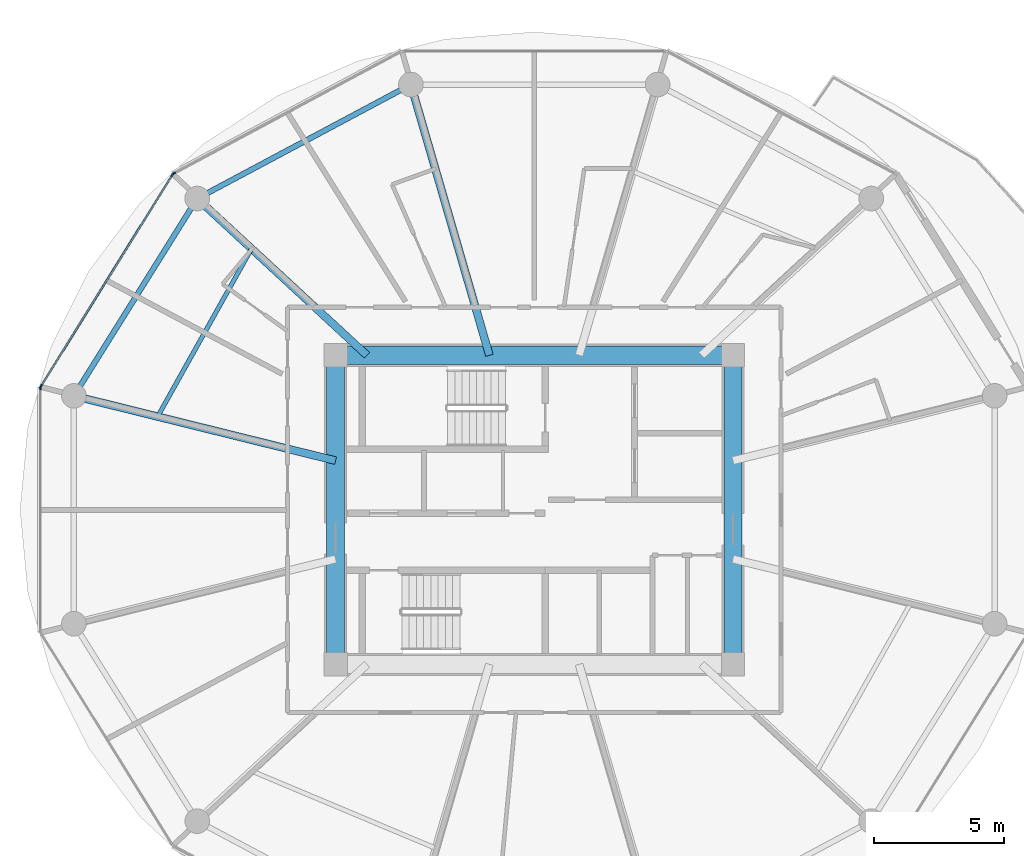
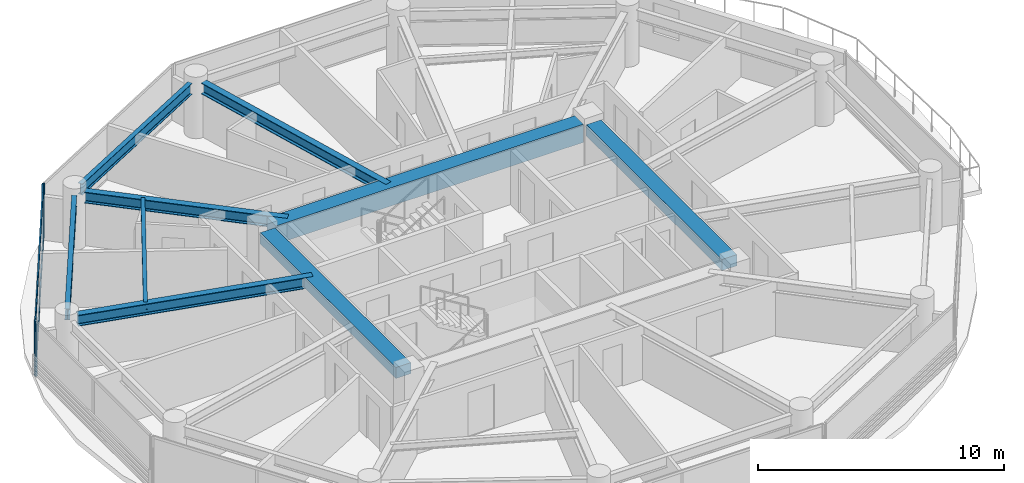
# One storey, part 4 of 26: 9 beams, 6 members, 3 elements without a shape of their own.
"""IFC4 building model written with IfcOpenShell, lengths in metres."""

from ifc_helpers import new_model, si_unit, direction, frame, origin, origin_2d, place, context, subcontext, project, spatial, rectangle, i_section, extrude, source, transform, mapped, material, layer, layer_set, material_profile, profile_set, type_object, type_shapes, element, aggregate, save


model = new_model("IFC4")

# Units and contexts
model_context = context("Model", 3, precision=1e-05, world=origin(), true_north=direction((0.0, 1.0)))
body_context = subcontext(model_context, "Body", "Model", "MODEL_VIEW")
ifc_project = project(units=[si_unit("LENGTHUNIT", "METRE"), si_unit("AREAUNIT", "SQUARE_METRE"), si_unit("VOLUMEUNIT", "CUBIC_METRE"), si_unit("PLANEANGLEUNIT", "RADIAN"), si_unit("MASSUNIT", "GRAM", prefix="KILO")], contexts=[model_context])

# Site, building, storey
site_placement = place(None, origin())
site = spatial("IfcSite", under=ifc_project, at=site_placement, CompositionType="ELEMENT")
building_placement = place(site_placement, origin())
building = spatial("IfcBuilding", under=site, at=building_placement, Name="Norrkilde Senior Care Towers", CompositionType="ELEMENT")
storey_placement = place(building_placement, frame((0.0, 0.0, 70.39990234375)))
storey = spatial("IfcBuildingStorey", under=building, at=storey_placement, Name="L21", CompositionType="ELEMENT", Elevation=70.39990234375)

# Beams
ifc_material_1 = material(Name="Concrete C60/75", Category="concrete")
ifc_material_profile_1 = material_profile(ifc_material_1, rectangle(XDim=0.699951171875, YDim=0.89990234375, at=origin_2d()), Name="RC BM 700x900")
ifc_profile_set_1 = profile_set([ifc_material_profile_1], Name="Concrete C60/75")
beam_type_1 = type_object("IfcBeamType", Name="Core Coupling Girder 700x900", PredefinedType="USERDEFINED", material=ifc_profile_set_1)
shared_shape_1 = source(origin(), body_context, "Body", "SweptSolid", [
    extrude(rectangle(XDim=0.699951171875, YDim=0.89990234375, at=origin_2d()), origin(), (0.0, 0.0, 1.0), 14.43994140625),
])
type_shapes(beam_type_1, [shared_shape_1])
beam_1_placement = place(storey_placement, frame((-35.219970703125, 5.949951171875, 2.280029296875), z_axis=(1.0, 0.0, 0.0), x_axis=(0.0, 1.0, 0.0)))
element("IfcBeam", 1, at=beam_1_placement, inside=storey, type_object=beam_type_1, Name="L21 Core W N Coupling Girder", ObjectType="GIRDER", PredefinedType="USERDEFINED", context=body_context, shape_type="MappedRepresentation", body=[
    mapped(shared_shape_1, transform((0.0, 0.0, 0.0), x_axis=(1.0, 0.0, 0.0), y_axis=(0.0, 1.0, 0.0), z_axis=(0.0, 0.0, 1.0), scale=1.0)),
])
ifc_material_profile_2 = material_profile(ifc_material_1, rectangle(XDim=0.699951171875, YDim=0.550048828125, at=origin_2d()), Name="RC BM 700x550")
ifc_profile_set_2 = profile_set([ifc_material_profile_2], Name="Concrete C60/75")
beam_type_2 = type_object("IfcBeamType", Name="Core Portal Coupling Beam 700x550", PredefinedType="USERDEFINED", material=ifc_profile_set_2)
shared_shape_2 = source(origin(), body_context, "Body", "SweptSolid", [
    extrude(rectangle(XDim=0.699951171875, YDim=0.550048828125, at=origin_2d()), origin(), (0.0, 0.0, 1.0), 11.0400390625),
])
type_shapes(beam_type_2, [shared_shape_2])
for number, where, z_axis, x_axis, name in (
    (2, (-35.64990234375, -5.52001953125, 2.455078125), (0.0, 1.0, 0.0), (-1.0, 0.0, 0.0), "L21 Core W W Coupling Girder"),
    (3, (-20.35009765625, -5.52001953125, 2.455078125), (0.0, 1.0, 0.0), (-1.0, 0.0, 0.0), "L21 Core W E Coupling Girder"),
):
    element("IfcBeam", number, at=place(storey_placement, frame(where, z_axis=z_axis, x_axis=x_axis)), inside=storey, type_object=beam_type_2, Name=name, ObjectType="GIRDER", PredefinedType="USERDEFINED", context=body_context, shape_type="MappedRepresentation", body=[
        mapped(shared_shape_2, transform((0.0, 0.0, 0.0), x_axis=(1.0, 0.0, 0.0), y_axis=(0.0, 1.0, 0.0), z_axis=(0.0, 0.0, 1.0), scale=1.0)),
    ])
ifc_material_2 = material(Name="Steel S355", Category="steel")
ifc_material_profile_3 = material_profile(ifc_material_2, i_section(OverallWidth=0.2099609375, OverallDepth=0.550048828125, WebThickness=0.010986328125, FlangeThickness=0.01708984375, FilletRadius=0.02392578125, at=origin_2d()), Name="IPE 550")
ifc_profile_set_3 = profile_set([ifc_material_profile_3], Name="Steel S355")
beam_type_3 = type_object("IfcBeamType", Name="Perimeter Ring Spandrel Z1 IPE550", PredefinedType="SPANDREL", material=ifc_profile_set_3)
shared_shape_3 = source(origin(), body_context, "Body", "SweptSolid", [
    extrude(i_section(OverallWidth=0.2099609375, OverallDepth=0.550048828125, WebThickness=0.010986328125, FlangeThickness=0.01708984375, FilletRadius=0.02392578125, at=origin_2d()), origin(), (0.0, 0.0, 1.0), 8.090576171875),
])
beam_2_placement = place(storey_placement, frame((-41.2060546875, 11.61669921875, 2.455078125), z_axis=(-0.530004364821, -0.84799491347, 0.0), x_axis=(0.84799491347, -0.530004364821, 0.0)))
element("IfcBeam", 4, at=beam_2_placement, inside=storey, type_object=beam_type_3, Name="L21 Drum W Perimeter Spandrel 05", PredefinedType="SPANDREL", context=body_context, shape_type="MappedRepresentation", body=[
    mapped(shared_shape_3, transform((0.0, 0.0, 0.0), x_axis=(1.0, 0.0, 0.0), y_axis=(0.0, 1.0, 0.0), z_axis=(0.0, 0.0, 1.0), scale=1.0)),
])
ifc_material_profile_4 = material_profile(ifc_material_2, i_section(OverallWidth=0.300048828125, OverallDepth=0.550048828125, WebThickness=0.014892578125, FlangeThickness=0.029052734375, FilletRadius=0.027099609375, at=origin_2d()), Name="HEB 550")
ifc_profile_set_4 = profile_set([ifc_material_profile_4], Name="Steel S355")
beam_type_4 = type_object("IfcBeamType", Name="Radial Floor Beam Z1 HEB550", PredefinedType="BEAM", material=ifc_profile_set_4)
shared_shape_4 = source(origin(), body_context, "Body", "SweptSolid", [
    extrude(i_section(OverallWidth=0.300048828125, OverallDepth=0.550048828125, WebThickness=0.014892578125, FlangeThickness=0.029052734375, FilletRadius=0.027099609375, at=origin_2d()), origin(), (0.0, 0.0, 1.0), 9.94384765625),
])
beam_3_placement = place(storey_placement, frame((-35.64990234375, 1.893310546875, 2.455078125), z_axis=(-0.970707425182, 0.240264634718, 0.0), x_axis=(-0.240264634718, -0.970707425182, 0.0)))
element("IfcBeam", 5, at=beam_3_placement, inside=storey, type_object=beam_type_4, Name="L21 Drum W Radial Floor Beam 06", PredefinedType="BEAM", context=body_context, shape_type="MappedRepresentation", body=[
    mapped(shared_shape_4, transform((0.0, 0.0, 0.0), x_axis=(1.0, 0.0, 0.0), y_axis=(0.0, 1.0, 0.0), z_axis=(0.0, 0.0, 1.0), scale=1.0)),
])
shared_shape_5 = source(origin(), body_context, "Body", "SweptSolid", [
    extrude(i_section(OverallWidth=0.2099609375, OverallDepth=0.550048828125, WebThickness=0.010986328125, FlangeThickness=0.01708984375, FilletRadius=0.02392578125, at=origin_2d()), origin(), (0.0, 0.0, 1.0), 8.452880859375),
])
type_shapes(beam_type_3, [shared_shape_3, shared_shape_5])
beam_4_placement = place(storey_placement, frame((-33.133056640625, 16.167724609375, 2.455078125), z_axis=(-0.882368931134, -0.470558252898, 0.0), x_axis=(0.470558252898, -0.882368931134, 0.0)))
element("IfcBeam", 6, at=beam_4_placement, inside=storey, type_object=beam_type_3, Name="L21 Drum W Perimeter Spandrel 04", PredefinedType="SPANDREL", context=body_context, shape_type="MappedRepresentation", body=[
    mapped(shared_shape_5, transform((0.0, 0.0, 0.0), x_axis=(1.0, 0.0, 0.0), y_axis=(0.0, 1.0, 0.0), z_axis=(0.0, 0.0, 1.0), scale=1.0)),
])
shared_shape_6 = source(origin(), body_context, "Body", "SweptSolid", [
    extrude(i_section(OverallWidth=0.300048828125, OverallDepth=0.550048828125, WebThickness=0.014892578125, FlangeThickness=0.029052734375, FilletRadius=0.027099609375, at=origin_2d()), origin(), (0.0, 0.0, 1.0), 8.459716796875),
])
beam_5_placement = place(storey_placement, frame((-34.44140625, 5.949951171875, 2.455078125), z_axis=(-0.734573269108, 0.678529374686, 0.0), x_axis=(-0.678529374686, -0.734573269108, 0.0)))
element("IfcBeam", 7, at=beam_5_placement, inside=storey, type_object=beam_type_4, Name="L21 Drum W Radial Floor Beam 05", PredefinedType="BEAM", context=body_context, shape_type="MappedRepresentation", body=[
    mapped(shared_shape_6, transform((0.0, 0.0, 0.0), x_axis=(1.0, 0.0, 0.0), y_axis=(0.0, 1.0, 0.0), z_axis=(0.0, 0.0, 1.0), scale=1.0)),
])
shared_shape_7 = source(origin(), body_context, "Body", "SweptSolid", [
    extrude(i_section(OverallWidth=0.300048828125, OverallDepth=0.550048828125, WebThickness=0.014892578125, FlangeThickness=0.029052734375, FilletRadius=0.027099609375, at=origin_2d()), origin(), (0.0, 0.0, 1.0), 10.4169921875),
])
type_shapes(beam_type_4, [shared_shape_4, shared_shape_6, shared_shape_7])
beam_6_placement = place(storey_placement, frame((-29.72607421875, 5.949951171875, 2.455078125), z_axis=(-0.278591250785, 0.960409764104, 0.0), x_axis=(-0.960409764104, -0.278591250785, 0.0)))
element("IfcBeam", 8, at=beam_6_placement, inside=storey, type_object=beam_type_4, Name="L21 Drum W Radial Floor Beam 04", PredefinedType="BEAM", context=body_context, shape_type="MappedRepresentation", body=[
    mapped(shared_shape_7, transform((0.0, 0.0, 0.0), x_axis=(1.0, 0.0, 0.0), y_axis=(0.0, 1.0, 0.0), z_axis=(0.0, 0.0, 1.0), scale=1.0)),
])
ifc_material_profile_5 = material_profile(ifc_material_2, i_section(OverallWidth=0.169921875, OverallDepth=0.360107421875, WebThickness=0.008056640625, FlangeThickness=0.0126953125, FilletRadius=0.01806640625, at=origin_2d()), Name="IPE 360")
ifc_profile_set_5 = profile_set([ifc_material_profile_5], Name="Steel S355")
beam_type_5 = type_object("IfcBeamType", Name="Secondary Floor Joist IPE360", PredefinedType="JOIST", material=ifc_profile_set_5)
shared_shape_8 = source(origin(), body_context, "Body", "SweptSolid", [
    extrude(i_section(OverallWidth=0.169921875, OverallDepth=0.360107421875, WebThickness=0.008056640625, FlangeThickness=0.0126953125, FilletRadius=0.01806640625, at=origin_2d()), origin(), (0.0, 0.0, 1.0), 7.40771484375),
])
type_shapes(beam_type_5, [shared_shape_8])
beam_7_placement = place(storey_placement, frame((-38.884521484375, 10.05419921875, 2.550048828125), z_axis=(-0.488167754092, -0.872749817453, 0.0), x_axis=(0.872749817453, -0.488167754092, 0.0)))
element("IfcBeam", 9, at=beam_7_placement, inside=storey, type_object=beam_type_5, Name="L21 Drum W Secondary Floor Joist 2", PredefinedType="JOIST", context=body_context, shape_type="MappedRepresentation", body=[
    mapped(shared_shape_8, transform((0.0, 0.0, 0.0), x_axis=(1.0, 0.0, 0.0), y_axis=(0.0, 1.0, 0.0), z_axis=(0.0, 0.0, 1.0), scale=1.0)),
])

# Curtain wall, members
ifc_material_3 = material(Name="Triple Low-E Insulated Glazing", Category="glass")
ifc_layer = layer(ifc_material_3, 0.199951171875)
ifc_layer_set = layer_set([ifc_layer], Name="Triple Low-E Insulated Glazing")
curtain_wall_type = type_object("IfcCurtainWallType", Name="CW2 Zone 1 Memory Care Curtain Wall", PredefinedType="NOTDEFINED", material=ifc_layer_set)
curtain_wall_1_placement = place(storey_placement, origin())
curtain_wall_1 = element("IfcCurtainWall", 10, at=curtain_wall_1_placement, inside=storey, type_object=curtain_wall_type, Name="L21 Drum W Curtain Wall 04", PredefinedType="NOTDEFINED")
ifc_material_4 = material(Name="Anodised Aluminium", Category="aluminium")
ifc_material_profile_6 = material_profile(ifc_material_4, rectangle(XDim=0.06005859375, YDim=0.1201171875, at=origin_2d()), Name="ALU TRAN 60x120")
ifc_profile_set_6 = profile_set([ifc_material_profile_6], Name="Anodised Aluminium")
member_type_1 = type_object("IfcMemberType", Name="Curtain Wall Transom Typical 60x120", PredefinedType="USERDEFINED", material=ifc_profile_set_6)
shared_shape_9 = source(origin(), body_context, "Body", "SweptSolid", [
    extrude(rectangle(XDim=0.06005859375, YDim=0.1201171875, at=origin_2d()), origin(), (0.0, 0.0, 1.0), 9.5185546875),
])
type_shapes(member_type_1, [shared_shape_9])
member_1_placement = place(storey_placement, frame((-46.97509765625, 4.786376953125, 0.030029296875), z_axis=(0.527901620669, 0.849305527413, 0.0), x_axis=(-0.849305527413, 0.527901620669, 0.0)))
member_1 = element("IfcMember", 11, at=member_1_placement, type_object=member_type_1, Name="CW-2 transom 1.1", ObjectType="TRANSOM", PredefinedType="USERDEFINED", context=body_context, shape_type="MappedRepresentation", body=[
    mapped(shared_shape_9, transform((0.0, 0.0, 0.0), x_axis=(1.0, 0.0, 0.0), y_axis=(0.0, 1.0, 0.0), z_axis=(0.0, 0.0, 1.0), scale=1.0)),
])
member_2_placement = place(storey_placement, frame((-46.97509765625, 4.786376953125, 2.7001953125), z_axis=(0.527901620669, 0.849305527413, 0.0), x_axis=(-0.849305527413, 0.527901620669, 0.0)))
member_2 = element("IfcMember", 12, at=member_2_placement, type_object=member_type_1, Name="CW-2 transom 1.2", ObjectType="TRANSOM", PredefinedType="USERDEFINED", context=body_context, shape_type="MappedRepresentation", body=[
    mapped(shared_shape_9, transform((0.0, 0.0, 0.0), x_axis=(1.0, 0.0, 0.0), y_axis=(0.0, 1.0, 0.0), z_axis=(0.0, 0.0, 1.0), scale=1.0)),
])

# Curtain wall, member
curtain_wall_2_placement = place(storey_placement, origin())
curtain_wall_2 = element("IfcCurtainWall", 13, at=curtain_wall_2_placement, inside=storey, type_object=curtain_wall_type, Name="L21 Drum W Curtain Wall 03", PredefinedType="NOTDEFINED")
ifc_material_profile_7 = material_profile(ifc_material_4, rectangle(XDim=0.06494140625, YDim=0.159912109375, at=origin_2d()), Name="ALU MULL 65x160")
ifc_profile_set_7 = profile_set([ifc_material_profile_7], Name="Anodised Aluminium")
member_type_2 = type_object("IfcMemberType", Name="Curtain Wall Mullion Z1-Z2 65x160", PredefinedType="MULLION", material=ifc_profile_set_7)
shared_shape_10 = source(origin(), body_context, "Body", "SweptSolid", [
    extrude(rectangle(XDim=0.06494140625, YDim=0.159912109375, at=origin_2d()), origin(), (0.0, 0.0, 1.0), 2.72998046875),
])
type_shapes(member_type_2, [shared_shape_10])
member_3_placement = place(storey_placement, frame((-41.88720703125, 12.941162109375, 0.0), z_axis=(0.0, 0.0, 1.0), x_axis=(-0.472607802456, 0.881272866403, 0.0)))
member_3 = element("IfcMember", 14, at=member_3_placement, type_object=member_type_2, Name="CW-2 mullion 1", PredefinedType="MULLION", context=body_context, shape_type="MappedRepresentation", body=[
    mapped(shared_shape_10, transform((0.0, 0.0, 0.0), x_axis=(1.0, 0.0, 0.0), y_axis=(0.0, 1.0, 0.0), z_axis=(0.0, 0.0, 1.0), scale=1.0)),
])
aggregate(curtain_wall_2, [member_3])

# Member
member_4_placement = place(storey_placement, frame((-46.9921875, 4.7587890625, 0.0), z_axis=(0.0, 0.0, 1.0), x_axis=(-0.849305943117, 0.527900951871, 0.0)))
member_4 = element("IfcMember", 15, at=member_4_placement, type_object=member_type_2, Name="CW-2 mullion 1", PredefinedType="MULLION", context=body_context, shape_type="MappedRepresentation", body=[
    mapped(shared_shape_10, transform((0.0, 0.0, 0.0), x_axis=(1.0, 0.0, 0.0), y_axis=(0.0, 1.0, 0.0), z_axis=(0.0, 0.0, 1.0), scale=1.0)),
])

member_5_placement = place(storey_placement, frame((-41.93310546875, 12.898193359375, 0.0), z_axis=(0.0, 0.0, 1.0), x_axis=(-0.849305943117, 0.527900951871, 0.0)))
member_5 = element("IfcMember", 16, at=member_5_placement, type_object=member_type_2, Name="CW-2 mullion 2", PredefinedType="MULLION", context=body_context, shape_type="MappedRepresentation", body=[
    mapped(shared_shape_10, transform((0.0, 0.0, 0.0), x_axis=(1.0, 0.0, 0.0), y_axis=(0.0, 1.0, 0.0), z_axis=(0.0, 0.0, 1.0), scale=1.0)),
])

aggregate(curtain_wall_1, [member_4, member_5, member_1, member_2])

# Curtain wall, member
curtain_wall_3_placement = place(storey_placement, origin())
curtain_wall_3 = element("IfcCurtainWall", 17, at=curtain_wall_3_placement, inside=storey, type_object=curtain_wall_type, Name="L21 Drum W Curtain Wall 05", PredefinedType="NOTDEFINED")
member_6_placement = place(storey_placement, frame((-47.009521484375, 4.69873046875, 0.0), z_axis=(0.0, 0.0, 1.0), x_axis=(-1.0, 0.0, 0.0)))
member_6 = element("IfcMember", 18, at=member_6_placement, type_object=member_type_2, Name="CW-2 mullion 2", PredefinedType="MULLION", context=body_context, shape_type="MappedRepresentation", body=[
    mapped(shared_shape_10, transform((0.0, 0.0, 0.0), x_axis=(1.0, 0.0, 0.0), y_axis=(0.0, 1.0, 0.0), z_axis=(0.0, 0.0, 1.0), scale=1.0)),
])
aggregate(curtain_wall_3, [member_6])

save(model, "model.ifc")
